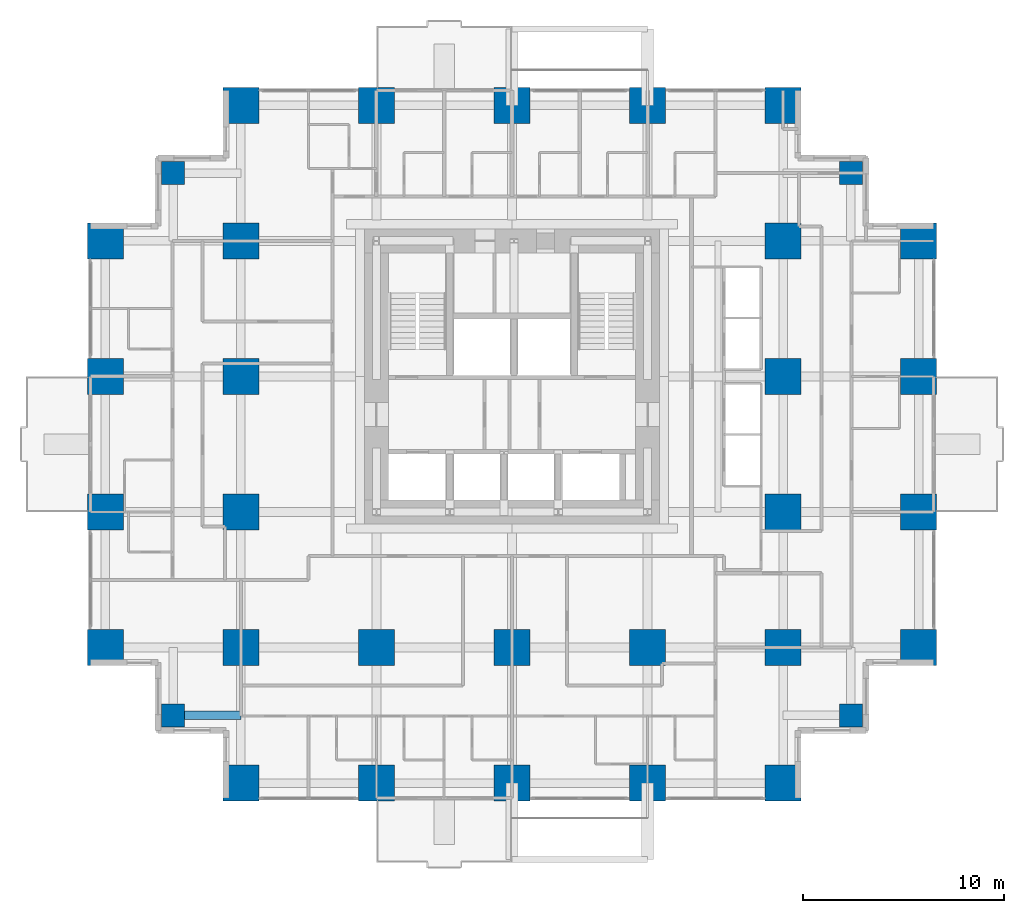
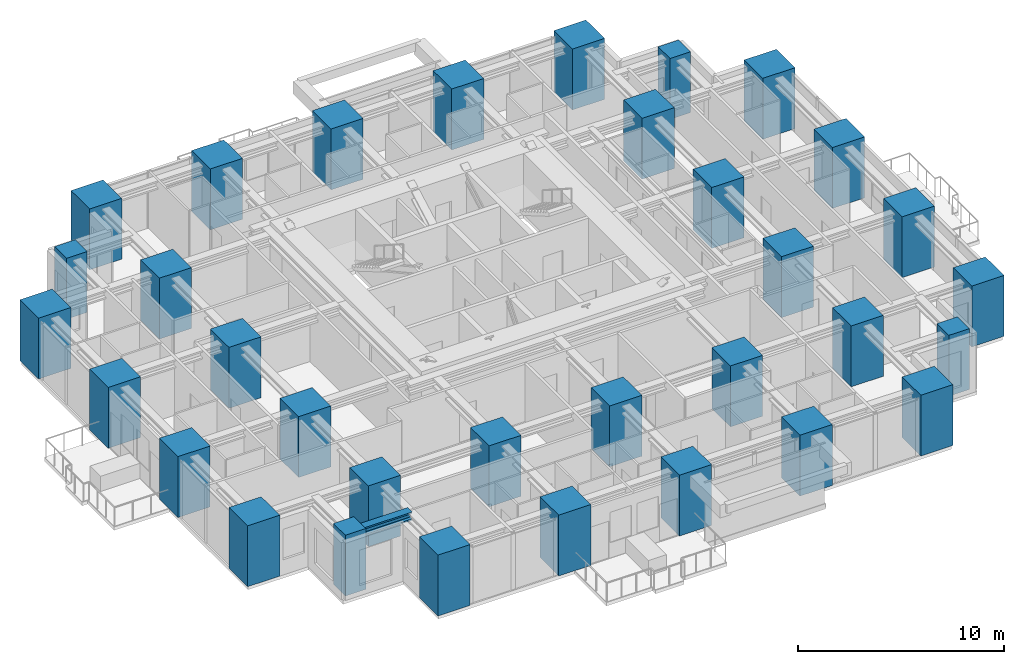
# One storey, part 1 of 13: 33 columns, 1 beam.
"""IFC4 building model written with IfcOpenShell, lengths in metres."""

from ifc_helpers import new_model, si_unit, direction, frame, origin, origin_2d, place, context, subcontext, project, spatial, rectangle, i_section, extrude, material, material_profile, profile_set, type_object, element, save


model = new_model("IFC4")

# Units and contexts
model_context = context("Model", 3, precision=1e-05, world=origin(), true_north=direction((0.0, 1.0)))
body_context = subcontext(model_context, "Body", "Model", "MODEL_VIEW")
ifc_project = project(units=[si_unit("LENGTHUNIT", "METRE"), si_unit("AREAUNIT", "SQUARE_METRE"), si_unit("VOLUMEUNIT", "CUBIC_METRE"), si_unit("PLANEANGLEUNIT", "RADIAN"), si_unit("MASSUNIT", "GRAM", prefix="KILO")], contexts=[model_context])

# Site, building, storey
site_placement = place(None, origin())
site = spatial("IfcSite", under=ifc_project, at=site_placement, CompositionType="ELEMENT")
building_placement = place(site_placement, origin())
building = spatial("IfcBuilding", under=site, at=building_placement, Name="Nyansa Garden Tower", CompositionType="ELEMENT")
storey_placement = place(building_placement, frame((0.0, 0.0, 87.300048828125)))
storey = spatial("IfcBuildingStorey", under=building, at=storey_placement, Name="L23", CompositionType="ELEMENT", Elevation=87.300048828125)

# Columns
ifc_material_1 = material(Name="Concrete C70/85", Category="concrete")
ifc_material_profile_1 = material_profile(ifc_material_1, rectangle(XDim=1.14990234375, YDim=1.14990234375, at=origin_2d()), Name="RC 1150x1150")
ifc_profile_set_1 = profile_set([ifc_material_profile_1], Name="Concrete C70/85")
column_type_1 = type_object("IfcColumnType", Name="Column C115 RC 1150x1150", PredefinedType="COLUMN", material=ifc_profile_set_1)
for number, where, z_axis, x_axis, name in (
    (1, (3.375, 3.375, 0.0), (0.0, 0.0, 1.0), (1.0, 0.0, 0.0), "Column x3.375/y3.375 L23"),
    (2, (3.375, 30.375, 0.0), (0.0, 0.0, 1.0), (1.0, 0.0, 0.0), "Column x3.375/y30.375 L23"),
    (3, (37.125, 3.375, 0.0), (0.0, 0.0, 1.0), (1.0, 0.0, 0.0), "Column x37.125/y3.375 L23"),
    (4, (37.125, 30.375, 0.0), (0.0, 0.0, 1.0), (1.0, 0.0, 0.0), "Column x37.125/y30.375 L23"),
):
    element("IfcColumn", number, at=place(storey_placement, frame(where, z_axis=z_axis, x_axis=x_axis)), inside=storey, type_object=column_type_1, Name=name, PredefinedType="COLUMN", context=body_context, shape_type="SweptSolid", body=[
        extrude(rectangle(XDim=1.14990234375, YDim=1.14990234375, at=origin_2d()), origin(), (0.0, 0.0, 1.0), 3.599853515625),
    ])
ifc_material_2 = material(Name="Concrete C80/95", Category="concrete")
ifc_material_profile_2 = material_profile(ifc_material_2, rectangle(XDim=1.800048828125, YDim=1.800048828125, at=origin_2d()), Name="RC 1800x1800")
ifc_profile_set_2 = profile_set([ifc_material_profile_2], Name="Concrete C80/95")
column_type_2 = type_object("IfcColumnType", Name="Column C180 RC 1800x1800", PredefinedType="COLUMN", material=ifc_profile_set_2)
for number, where, z_axis, x_axis, name in (
    (5, (0.0, 6.75, 0.0), (0.0, 0.0, 1.0), (1.0, 0.0, 0.0), "Column 2/E L23"),
    (6, (0.0, 13.5, 0.0), (0.0, 0.0, 1.0), (1.0, 0.0, 0.0), "Column 2/F L23"),
    (7, (0.0, 20.25, 0.0), (0.0, 0.0, 1.0), (1.0, 0.0, 0.0), "Column 2/G L23"),
    (8, (0.0, 27.0, 0.0), (0.0, 0.0, 1.0), (1.0, 0.0, 0.0), "Column 2/H L23"),
    (9, (6.75, 0.0, 0.0), (0.0, 0.0, 1.0), (1.0, 0.0, 0.0), "Column 3/D L23"),
    (10, (6.75, 6.75, 0.0), (0.0, 0.0, 1.0), (1.0, 0.0, 0.0), "Column 3/E L23"),
    (11, (6.75, 13.5, 0.0), (0.0, 0.0, 1.0), (1.0, 0.0, 0.0), "Column 3/F L23"),
    (12, (6.75, 20.25, 0.0), (0.0, 0.0, 1.0), (1.0, 0.0, 0.0), "Column 3/G L23"),
    (13, (6.75, 27.0, 0.0), (0.0, 0.0, 1.0), (1.0, 0.0, 0.0), "Column 3/H L23"),
    (14, (6.75, 33.75, 0.0), (0.0, 0.0, 1.0), (1.0, 0.0, 0.0), "Column 3/J L23"),
    (15, (13.5, 0.0, 0.0), (0.0, 0.0, 1.0), (1.0, 0.0, 0.0), "Column 4/D L23"),
    (16, (13.5, 6.75, 0.0), (0.0, 0.0, 1.0), (1.0, 0.0, 0.0), "Column 4/E L23"),
    (17, (13.5, 33.75, 0.0), (0.0, 0.0, 1.0), (1.0, 0.0, 0.0), "Column 4/J L23"),
    (18, (20.25, 0.0, 0.0), (0.0, 0.0, 1.0), (1.0, 0.0, 0.0), "Column 5/D L23"),
    (19, (20.25, 6.75, 0.0), (0.0, 0.0, 1.0), (1.0, 0.0, 0.0), "Column 5/E L23"),
    (20, (20.25, 33.75, 0.0), (0.0, 0.0, 1.0), (1.0, 0.0, 0.0), "Column 5/J L23"),
    (21, (27.0, 0.0, 0.0), (0.0, 0.0, 1.0), (1.0, 0.0, 0.0), "Column 6/D L23"),
    (22, (27.0, 6.75, 0.0), (0.0, 0.0, 1.0), (1.0, 0.0, 0.0), "Column 6/E L23"),
    (23, (27.0, 33.75, 0.0), (0.0, 0.0, 1.0), (1.0, 0.0, 0.0), "Column 6/J L23"),
    (24, (33.75, 0.0, 0.0), (0.0, 0.0, 1.0), (1.0, 0.0, 0.0), "Column 7/D L23"),
    (25, (33.75, 6.75, 0.0), (0.0, 0.0, 1.0), (1.0, 0.0, 0.0), "Column 7/E L23"),
    (26, (33.75, 13.5, 0.0), (0.0, 0.0, 1.0), (1.0, 0.0, 0.0), "Column 7/F L23"),
    (27, (33.75, 20.25, 0.0), (0.0, 0.0, 1.0), (1.0, 0.0, 0.0), "Column 7/G L23"),
    (28, (33.75, 27.0, 0.0), (0.0, 0.0, 1.0), (1.0, 0.0, 0.0), "Column 7/H L23"),
    (29, (33.75, 33.75, 0.0), (0.0, 0.0, 1.0), (1.0, 0.0, 0.0), "Column 7/J L23"),
    (30, (40.5, 6.75, 0.0), (0.0, 0.0, 1.0), (1.0, 0.0, 0.0), "Column 8/E L23"),
    (31, (40.5, 13.5, 0.0), (0.0, 0.0, 1.0), (1.0, 0.0, 0.0), "Column 8/F L23"),
    (32, (40.5, 20.25, 0.0), (0.0, 0.0, 1.0), (1.0, 0.0, 0.0), "Column 8/G L23"),
    (33, (40.5, 27.0, 0.0), (0.0, 0.0, 1.0), (1.0, 0.0, 0.0), "Column 8/H L23"),
):
    element("IfcColumn", number, at=place(storey_placement, frame(where, z_axis=z_axis, x_axis=x_axis)), inside=storey, type_object=column_type_2, Name=name, PredefinedType="COLUMN", context=body_context, shape_type="SweptSolid", body=[
        extrude(rectangle(XDim=1.800048828125, YDim=1.800048828125, at=origin_2d()), origin(), (0.0, 0.0, 1.0), 3.599853515625),
    ])

# Beam
ifc_material_3 = material(Name="Steel S355", Category="steel")
ifc_material_profile_3 = material_profile(ifc_material_3, i_section(OverallWidth=0.431884765625, OverallDepth=0.498046875, WebThickness=0.0556640625, FlangeThickness=0.0888671875, FilletRadius=0.014892578125, at=origin_2d()), Name="HD 400x744")
ifc_profile_set_3 = profile_set([ifc_material_profile_3], Name="Steel S355")
beam_type = type_object("IfcBeamType", Name="Steel beam SSB1-744 HD 400x744", PredefinedType="BEAM", material=ifc_profile_set_3)
beam_placement = place(storey_placement, frame((3.375, 3.375, 3.1259765625), z_axis=(1.0, 0.0, 0.0), x_axis=(0.0, 1.0, 0.0)))
element("IfcBeam", 34, at=beam_placement, inside=storey, type_object=beam_type, Name="Steel step beam 3.375/3.375 L24", PredefinedType="BEAM", context=body_context, shape_type="SweptSolid", body=[
    extrude(i_section(OverallWidth=0.431884765625, OverallDepth=0.498046875, WebThickness=0.0556640625, FlangeThickness=0.0888671875, FilletRadius=0.014892578125, at=origin_2d()), origin(), (0.0, 0.0, 1.0), 3.375),
])

save(model, "model.ifc")
